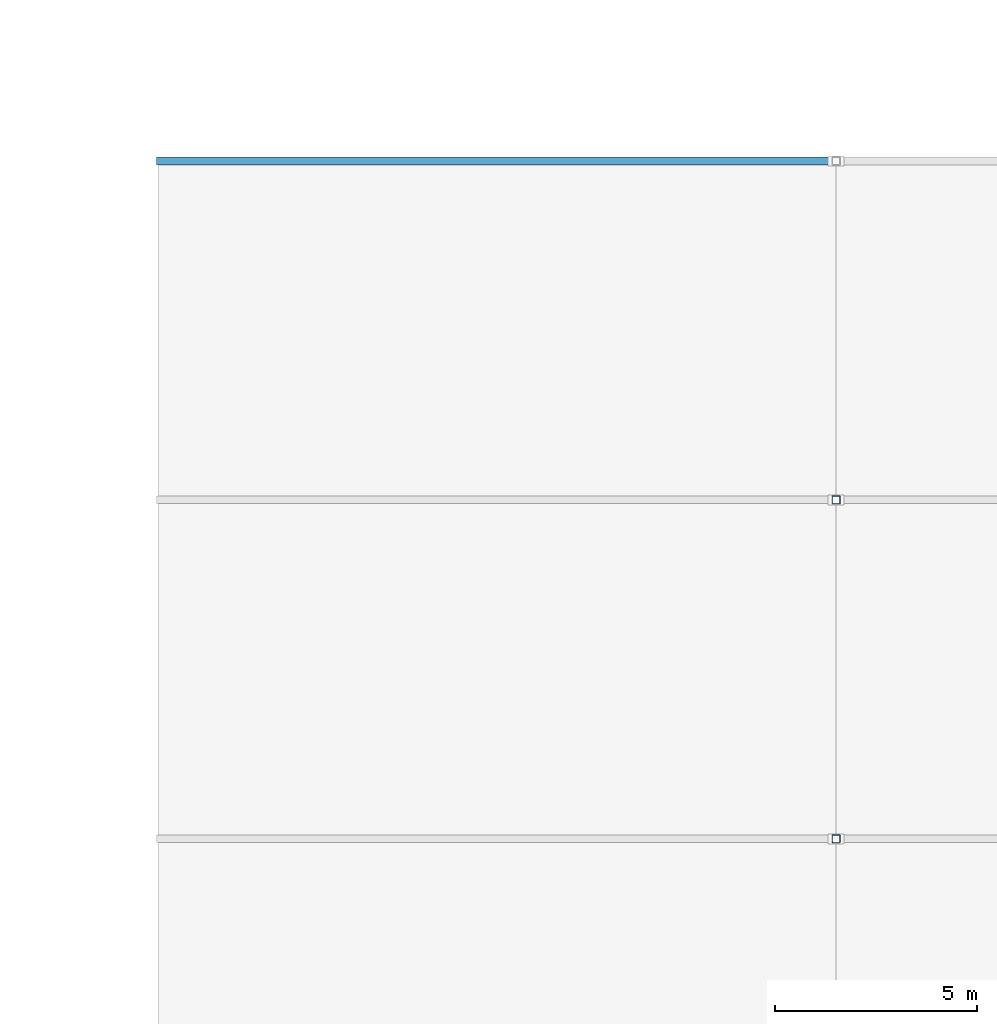
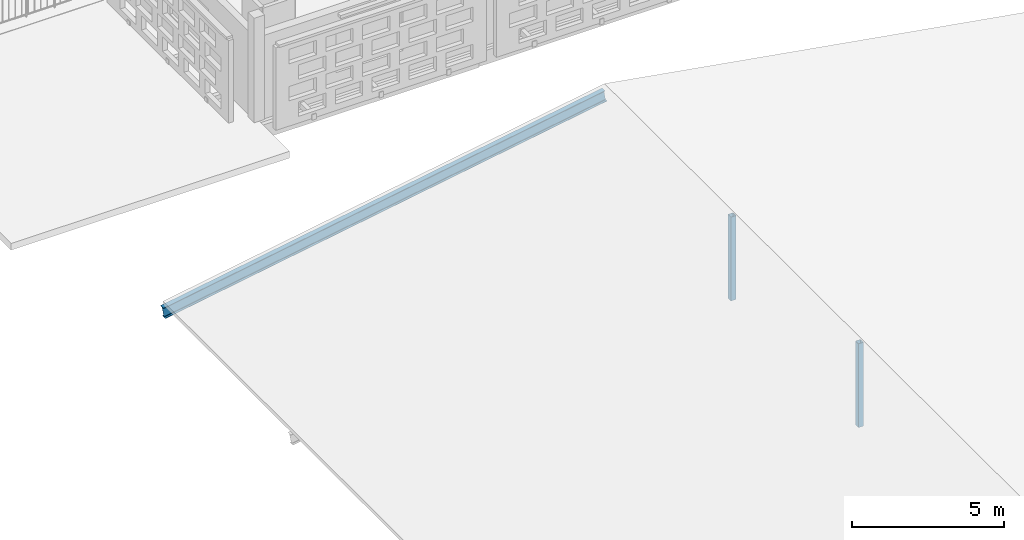
# One storey, part 66 of 140: 2 members, 1 beam.
"""IFC4 building model written with IfcOpenShell, lengths in metres."""

from ifc_helpers import new_model, si_unit, direction, frame, origin, origin_2d, place, context, subcontext, project, spatial, hollow_rectangle, i_section, extrude, material, material_profile, profile_set, type_object, element, save


model = new_model("IFC4")

# Units and contexts
model_context = context("Model", 3, precision=1e-05, world=origin(), true_north=direction((0.0, 1.0)))
body_context = subcontext(model_context, "Body", "Model", "MODEL_VIEW")
ifc_project = project(units=[si_unit("LENGTHUNIT", "METRE"), si_unit("AREAUNIT", "SQUARE_METRE"), si_unit("VOLUMEUNIT", "CUBIC_METRE"), si_unit("PLANEANGLEUNIT", "RADIAN"), si_unit("MASSUNIT", "GRAM", prefix="KILO")], contexts=[model_context])

# Site, building, storey
site_placement = place(None, origin())
site = spatial("IfcSite", under=ifc_project, at=site_placement, CompositionType="ELEMENT")
building_placement = place(site_placement, origin())
building = spatial("IfcBuilding", under=site, at=building_placement, Name="Varnapada Polytechnic", CompositionType="ELEMENT")
storey_placement = place(building_placement, frame((0.0, 0.0, 13.800048828125)))
storey = spatial("IfcBuildingStorey", under=building, at=storey_placement, Name="L03", CompositionType="ELEMENT", Elevation=13.800048828125)

# Beam
ifc_material = material(Name="Steel S355", Category="steel")
ifc_material_profile_1 = material_profile(ifc_material, i_section(OverallWidth=0.18994140625, OverallDepth=0.449951171875, WebThickness=0.009521484375, FlangeThickness=0.0146484375, FilletRadius=0.02099609375, at=origin_2d()), Name="IPE 450")
ifc_profile_set_1 = profile_set([ifc_material_profile_1], Name="Steel S355")
beam_type = type_object("IfcBeamType", Name="Folded gable & library roof rafter SB-02 (IPE 450)", PredefinedType="BEAM", material=ifc_profile_set_1)
beam_placement = place(storey_placement, frame((134.39990234375, 50.39990234375, 0.22998046875), z_axis=(0.985721119745, 0.0, 0.168386086388), x_axis=(0.0, 1.0, 0.0)))
element("IfcBeam", 1, at=beam_placement, inside=storey, type_object=beam_type, Name="Refectory pavilion west rafter Y7", PredefinedType="BEAM", context=body_context, shape_type="SweptSolid", body=[
    extrude(i_section(OverallWidth=0.18994140625, OverallDepth=0.449951171875, WebThickness=0.009521484375, FlangeThickness=0.0146484375, FilletRadius=0.02099609375, at=origin_2d()), origin(), (0.0, 0.0, 1.0), 17.04345703125),
])

# Members
ifc_material_profile_2 = material_profile(ifc_material, hollow_rectangle(XDim=0.199951171875, YDim=0.199951171875, WallThickness=0.008056640625, InnerFilletRadius=0.008056640625, OuterFilletRadius=0.01611328125, at=origin_2d()), Name="SHS 200x200x8")
ifc_profile_set_2 = profile_set([ifc_material_profile_2], Name="Steel S355")
member_type = type_object("IfcMemberType", Name="Roof clerestory king post SFP-01 (SHS 200x200x8)", PredefinedType="POST", material=ifc_profile_set_2)
for number, where, z_axis, x_axis, name in (
    (2, (151.199951171875, 33.60009765625, -0.02001953125), (0.0, 0.0, 1.0), (1.0, 0.0, 0.0), "Refectory pavilion ridge post Y5"),
    (3, (151.199951171875, 42.0, -0.02001953125), (0.0, 0.0, 1.0), (1.0, 0.0, 0.0), "Refectory pavilion ridge post Y6"),
):
    element("IfcMember", number, at=place(storey_placement, frame(where, z_axis=z_axis, x_axis=x_axis)), inside=storey, type_object=member_type, Name=name, PredefinedType="POST", context=body_context, shape_type="SweptSolid", body=[
        extrude(hollow_rectangle(XDim=0.199951171875, YDim=0.199951171875, WallThickness=0.008056640625, InnerFilletRadius=0.008056640625, OuterFilletRadius=0.01611328125, at=origin_2d()), origin(), (0.0, 0.0, 1.0), 3.369873046875),
    ])

save(model, "model.ifc")
